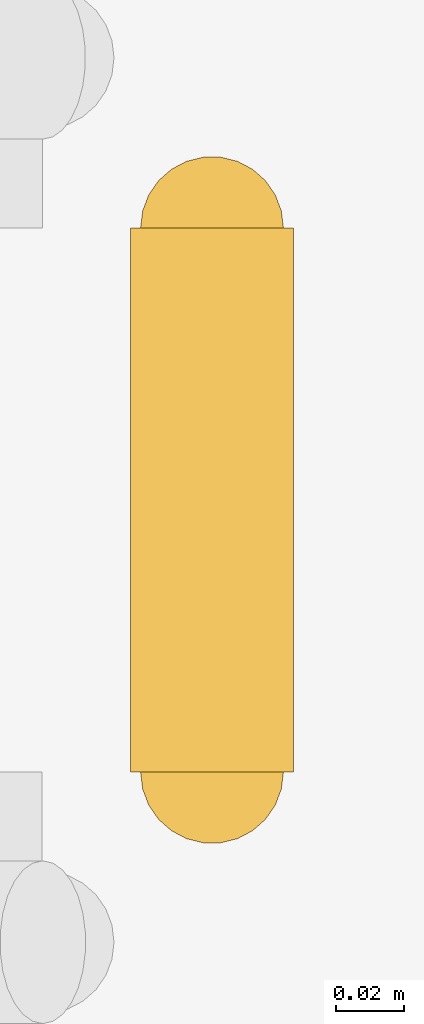
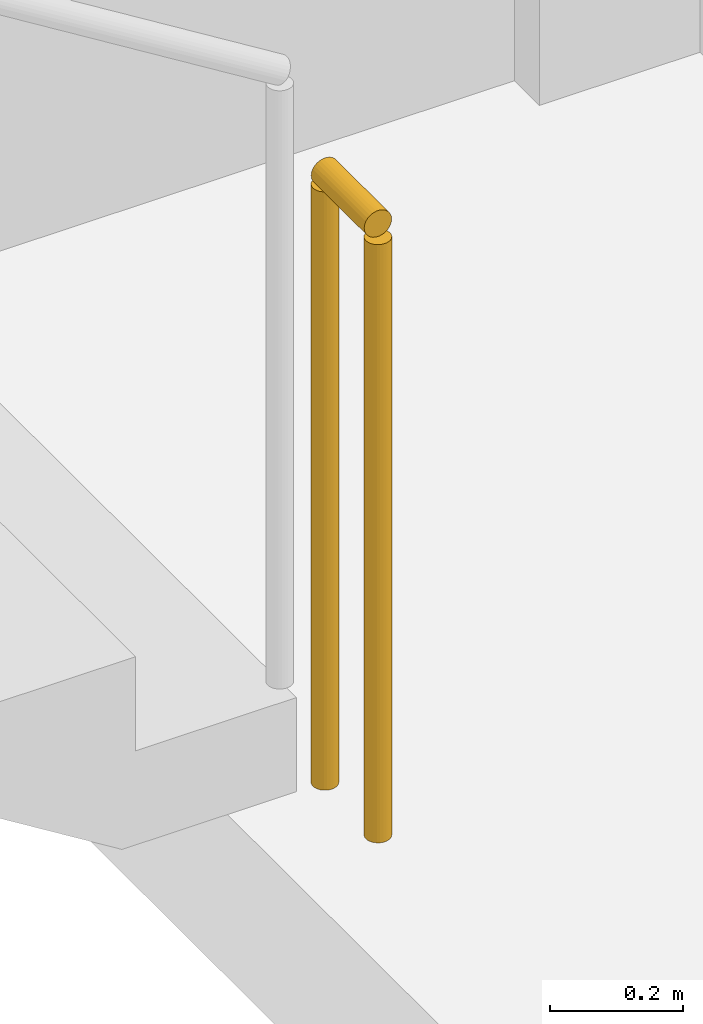
# One storey, part 19 of 21: 1 railing.
"""IFC4 building model written with IfcOpenShell, lengths in metres."""

from ifc_helpers import new_model, si_unit, direction, frame, origin, origin_2d, place, context, subcontext, project, spatial, circle, extrude, material, type_object, element, save


model = new_model("IFC4")

# Units and contexts
model_context = context("Model", 3, precision=1e-05, world=origin(), true_north=direction((0.0, 1.0)))
body_context = subcontext(model_context, "Body", "Model", "MODEL_VIEW")
ifc_project = project(units=[si_unit("LENGTHUNIT", "METRE"), si_unit("AREAUNIT", "SQUARE_METRE"), si_unit("VOLUMEUNIT", "CUBIC_METRE"), si_unit("PLANEANGLEUNIT", "RADIAN"), si_unit("MASSUNIT", "GRAM", prefix="KILO")], contexts=[model_context])

# Site, building, storey
site_placement = place(None, origin())
site = spatial("IfcSite", under=ifc_project, at=site_placement, CompositionType="ELEMENT")
building_placement = place(site_placement, origin())
building = spatial("IfcBuilding", under=site, at=building_placement, Name="Drelvath Grand Hotel", CompositionType="ELEMENT")
storey_placement = place(building_placement, frame((0.0, 0.0, 22.39990234375)))
storey = spatial("IfcBuildingStorey", under=building, at=storey_placement, Name="L04", CompositionType="ELEMENT", Elevation=22.39990234375)

# Railing
ifc_material = material(Name="Painted Steel S275", Category="steel")
railing_type = type_object("IfcRailingType", Name="Core Stair Well Guardrail 1100", PredefinedType="GUARDRAIL", material=ifc_material)
railing_placement = place(storey_placement, frame((6.64990234375, 26.679931640625, 0.0)))
element("IfcRailing", 1, at=railing_placement, inside=storey, type_object=railing_type, Name="L04 ST-2 stair guard 4", PredefinedType="GUARDRAIL", context=body_context, shape_type="SweptSolid", body=[
    extrude(circle(Radius=0.02392578125, at=origin_2d()), frame((0.0, 0.0, 1.1259765625), z_axis=(0.0, -1.0, 0.0), x_axis=(1.0, 0.0, 0.0)), (0.0, 0.0, 1.0), 0.159912109375),
    extrude(circle(Radius=0.02099609375, at=origin_2d()), origin(), (0.0, 0.0, 1.0), 1.101806640625),
    extrude(circle(Radius=0.02099609375, at=origin_2d()), frame((0.0, -0.159912109375, 0.0)), (0.0, 0.0, 1.0), 1.101806640625),
])

save(model, "model.ifc")
